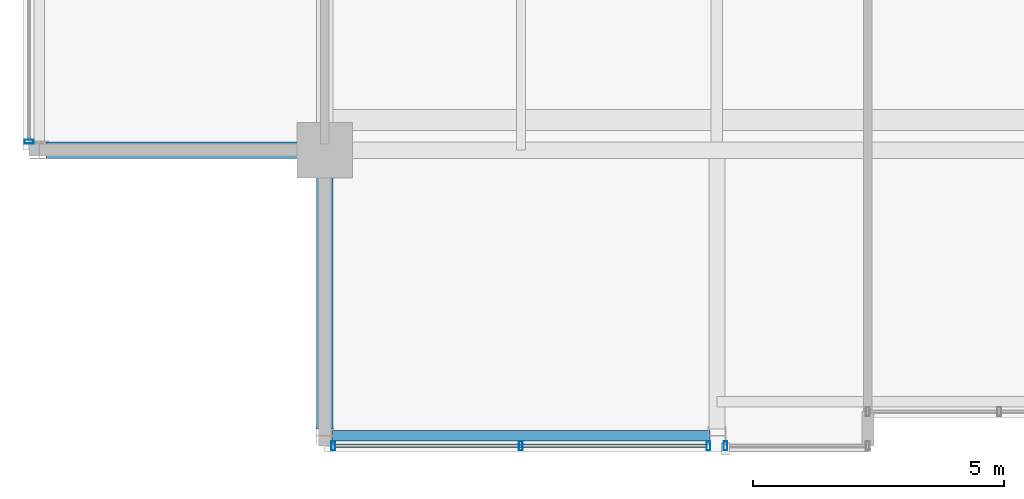
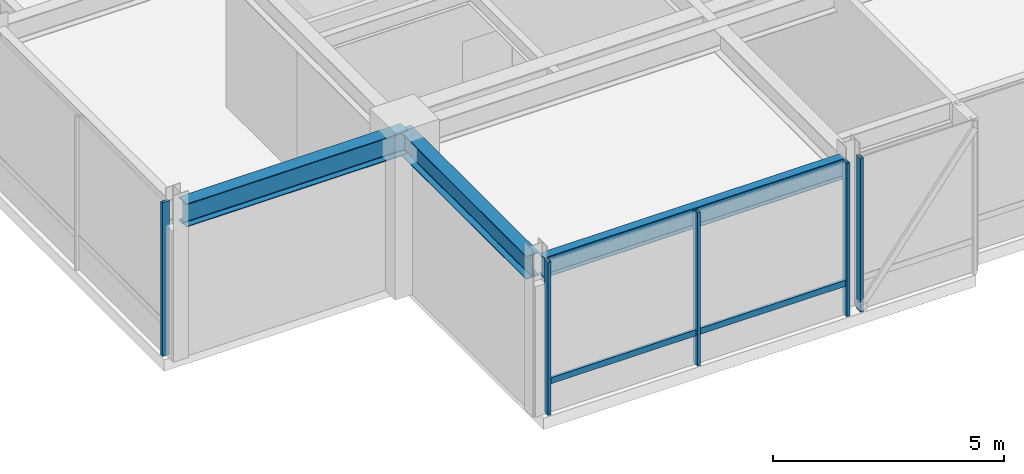
# One storey, part 4 of 33: 6 members, 3 beams, 3 elements without a shape of their own.
"""IFC4 building model written with IfcOpenShell, lengths in metres."""

from ifc_helpers import new_model, si_unit, direction, frame, origin, origin_2d, place, context, subcontext, project, spatial, hollow_rectangle, i_section, extrude, material, layer, layer_set, material_profile, profile_set, type_object, element, aggregate, save


model = new_model("IFC4")

# Units and contexts
model_context = context("Model", 3, precision=1e-05, world=origin(), true_north=direction((0.0, 1.0)))
body_context = subcontext(model_context, "Body", "Model", "MODEL_VIEW")
ifc_project = project(units=[si_unit("LENGTHUNIT", "METRE"), si_unit("AREAUNIT", "SQUARE_METRE"), si_unit("VOLUMEUNIT", "CUBIC_METRE"), si_unit("PLANEANGLEUNIT", "RADIAN"), si_unit("MASSUNIT", "GRAM", prefix="KILO")], contexts=[model_context])

# Site, building, storey
site_placement = place(None, origin())
site = spatial("IfcSite", under=ifc_project, at=site_placement, CompositionType="ELEMENT")
building_placement = place(site_placement, origin())
building = spatial("IfcBuilding", under=site, at=building_placement, Name="Drelvath Grand Hotel", CompositionType="ELEMENT")
storey_placement = place(building_placement, frame((0.0, 0.0, 298.60009765625)))
storey = spatial("IfcBuildingStorey", under=building, at=storey_placement, Name="L78", CompositionType="ELEMENT", Elevation=298.60009765625)

# Curtain wall, member
ifc_material_1 = material(Name="Platinum-Mist Anodised Aluminium Frame", Category="aluminium")
ifc_layer = layer(ifc_material_1, 0.199951171875)
ifc_layer_set = layer_set([ifc_layer], Name="Platinum-Mist Anodised Aluminium Frame")
curtain_wall_type = type_object("IfcCurtainWallType", Name="Stick Curtain Wall CW-05 Platinum Mist High-Rise", PredefinedType="NOTDEFINED", material=ifc_layer_set)
curtain_wall_1_placement = place(storey_placement, origin())
curtain_wall_1 = element("IfcCurtainWall", 1, at=curtain_wall_1_placement, inside=storey, type_object=curtain_wall_type, Name="L78 CW-05 Curtain Wall CW05-L78-SW1", PredefinedType="NOTDEFINED")
ifc_material_profile_1 = material_profile(ifc_material_1, hollow_rectangle(XDim=0.06494140625, YDim=0.159912109375, WallThickness=0.00390625, at=origin_2d()), Name="HSS160X65X4")
ifc_profile_set_1 = profile_set([ifc_material_profile_1], Name="Platinum-Mist Anodised Aluminium Frame")
member_type_1 = type_object("IfcMemberType", Name="Curtain Wall Horizontal Transom CW-05 HSS160X65X4", PredefinedType="USERDEFINED", material=ifc_profile_set_1)
member_1_placement = place(storey_placement, frame((-8.610107421875, 4.919921875, 0.849853515625), z_axis=(-1.0, 0.0, 0.0), x_axis=(0.0, -1.0, 0.0)))
member_1 = element("IfcMember", 2, at=member_1_placement, type_object=member_type_1, Name="CW05-L78-SW1 Sill Transom", ObjectType="TRANSOM", PredefinedType="USERDEFINED", context=body_context, shape_type="SweptSolid", body=[
    extrude(hollow_rectangle(XDim=0.06494140625, YDim=0.159912109375, WallThickness=0.00390625, at=origin_2d()), origin(), (0.0, 0.0, 1.0), 7.3798828125),
])

curtain_wall_2_placement = place(storey_placement, origin())
curtain_wall_2 = element("IfcCurtainWall", 3, at=curtain_wall_2_placement, inside=storey, type_object=curtain_wall_type, Name="L78 CW-05 Curtain Wall CW05-L78-WS1", PredefinedType="NOTDEFINED")
ifc_material_profile_2 = material_profile(ifc_material_1, hollow_rectangle(XDim=0.074951171875, YDim=0.179931640625, WallThickness=0.0048828125, at=origin_2d()), Name="HSS180X75X5")
ifc_profile_set_2 = profile_set([ifc_material_profile_2], Name="Platinum-Mist Anodised Aluminium Frame")
member_type_2 = type_object("IfcMemberType", Name="Curtain Wall Vertical Mullion CW-05 HSS180X75X5", PredefinedType="MULLION", material=ifc_profile_set_2)
member_2_placement = place(storey_placement, frame((-22.080078125, 10.97021484375, 0.0), z_axis=(0.0, 0.0, 1.0), x_axis=(0.0, 1.0, 0.0)))
member_2 = element("IfcMember", 4, at=member_2_placement, type_object=member_type_2, Name="CW05-L78-WS1 Mullion 1", PredefinedType="MULLION", context=body_context, shape_type="SweptSolid", body=[
    extrude(hollow_rectangle(XDim=0.074951171875, YDim=0.179931640625, WallThickness=0.0048828125, at=origin_2d()), origin(), (0.0, 0.0, 1.0), 4.0498046875),
])
aggregate(curtain_wall_2, [member_2])

# Member
member_3_placement = place(storey_placement, frame((-8.570068359375, 4.919921875, 0.0), z_axis=(0.0, 0.0, 1.0), x_axis=(1.0, 0.0, 0.0)))
member_3 = element("IfcMember", 5, at=member_3_placement, type_object=member_type_2, Name="CW05-L78-SW1 Mullion 1", PredefinedType="MULLION", context=body_context, shape_type="SweptSolid", body=[
    extrude(hollow_rectangle(XDim=0.074951171875, YDim=0.179931640625, WallThickness=0.0048828125, at=origin_2d()), origin(), (0.0, 0.0, 1.0), 4.0498046875),
])

member_4_placement = place(storey_placement, frame((-12.300048828125, 4.919921875, 0.0), z_axis=(0.0, 0.0, 1.0), x_axis=(1.0, 0.0, 0.0)))
member_4 = element("IfcMember", 6, at=member_4_placement, type_object=member_type_2, Name="CW05-L78-SW1 Mullion 2", PredefinedType="MULLION", context=body_context, shape_type="SweptSolid", body=[
    extrude(hollow_rectangle(XDim=0.074951171875, YDim=0.179931640625, WallThickness=0.0048828125, at=origin_2d()), origin(), (0.0, 0.0, 1.0), 4.0498046875),
])

member_5_placement = place(storey_placement, frame((-16.02978515625, 4.919921875, 0.0), z_axis=(0.0, 0.0, 1.0), x_axis=(1.0, 0.0, 0.0)))
member_5 = element("IfcMember", 7, at=member_5_placement, type_object=member_type_2, Name="CW05-L78-SW1 Mullion 3", PredefinedType="MULLION", context=body_context, shape_type="SweptSolid", body=[
    extrude(hollow_rectangle(XDim=0.074951171875, YDim=0.179931640625, WallThickness=0.0048828125, at=origin_2d()), origin(), (0.0, 0.0, 1.0), 4.0498046875),
])

aggregate(curtain_wall_1, [member_3, member_4, member_5, member_1])

# Curtain wall, member
curtain_wall_3_placement = place(storey_placement, origin())
curtain_wall_3 = element("IfcCurtainWall", 8, at=curtain_wall_3_placement, inside=storey, type_object=curtain_wall_type, Name="L78 CW-05 Curtain Wall CW05-L78-SW2", PredefinedType="NOTDEFINED")
member_6_placement = place(storey_placement, frame((-8.22998046875, 4.919921875, 0.0), z_axis=(0.0, 0.0, 1.0), x_axis=(1.0, 0.0, 0.0)))
member_6 = element("IfcMember", 9, at=member_6_placement, type_object=member_type_2, Name="CW05-L78-SW2 Mullion 2", PredefinedType="MULLION", context=body_context, shape_type="SweptSolid", body=[
    extrude(hollow_rectangle(XDim=0.074951171875, YDim=0.179931640625, WallThickness=0.0048828125, at=origin_2d()), origin(), (0.0, 0.0, 1.0), 4.0498046875),
])
aggregate(curtain_wall_3, [member_6])

# Beams
ifc_material_2 = material(Name="Steel ASTM A992 Gr 50", Category="steel")
ifc_material_profile_3 = material_profile(ifc_material_2, i_section(OverallWidth=0.210205078125, OverallDepth=0.53662109375, WebThickness=0.010986328125, FlangeThickness=0.017333984375, FilletRadius=0.01806640625, at=origin_2d()), Name="W21X68")
ifc_profile_set_3 = profile_set([ifc_material_profile_3], Name="Steel ASTM A992 Gr 50")
beam_type_1 = type_object("IfcBeamType", Name="Perimeter Spandrel Beam W21X68", PredefinedType="SPANDREL", material=ifc_profile_set_3)
beam_placement = place(storey_placement, frame((-16.06005859375, 5.1201171875, 3.781494140625), z_axis=(1.0, 0.0, 0.0), x_axis=(0.0, 1.0, 0.0)))
element("IfcBeam", 10, at=beam_placement, inside=storey, type_object=beam_type_1, Name="L78 Spandrel South W", PredefinedType="SPANDREL", context=body_context, shape_type="SweptSolid", body=[
    extrude(i_section(OverallWidth=0.210205078125, OverallDepth=0.53662109375, WebThickness=0.010986328125, FlangeThickness=0.017333984375, FilletRadius=0.01806640625, at=origin_2d()), origin(), (0.0, 0.0, 1.0), 7.52001953125),
])
ifc_material_profile_4 = material_profile(ifc_material_2, i_section(OverallWidth=0.323974609375, OverallDepth=0.611083984375, WebThickness=0.0126953125, FlangeThickness=0.01904296875, FilletRadius=0.02197265625, at=origin_2d()), Name="W24X104")
ifc_profile_set_4 = profile_set([ifc_material_profile_4], Name="Steel ASTM A992 Gr 50")
beam_type_2 = type_object("IfcBeamType", Name="Primary Floor Girder W24X104", PredefinedType="BEAM", material=ifc_profile_set_4)
for number, where, z_axis, x_axis, name in (
    (11, (-21.739990234375, 10.800048828125, 3.744384765625), (1.0, 0.0, 0.0), (0.0, 1.0, 0.0), "L78 West Grid Girder C"),
    (12, (-16.199951171875, 5.260009765625, 3.744384765625), (0.0, 1.0, 0.0), (-1.0, 0.0, 0.0), "L78 South Grid Girder 3"),
):
    element("IfcBeam", number, at=place(storey_placement, frame(where, z_axis=z_axis, x_axis=x_axis)), inside=storey, type_object=beam_type_2, Name=name, PredefinedType="BEAM", context=body_context, shape_type="SweptSolid", body=[
        extrude(i_section(OverallWidth=0.323974609375, OverallDepth=0.611083984375, WebThickness=0.0126953125, FlangeThickness=0.01904296875, FilletRadius=0.02197265625, at=origin_2d()), origin(), (0.0, 0.0, 1.0), 5.5400390625),
    ])

save(model, "model.ifc")
